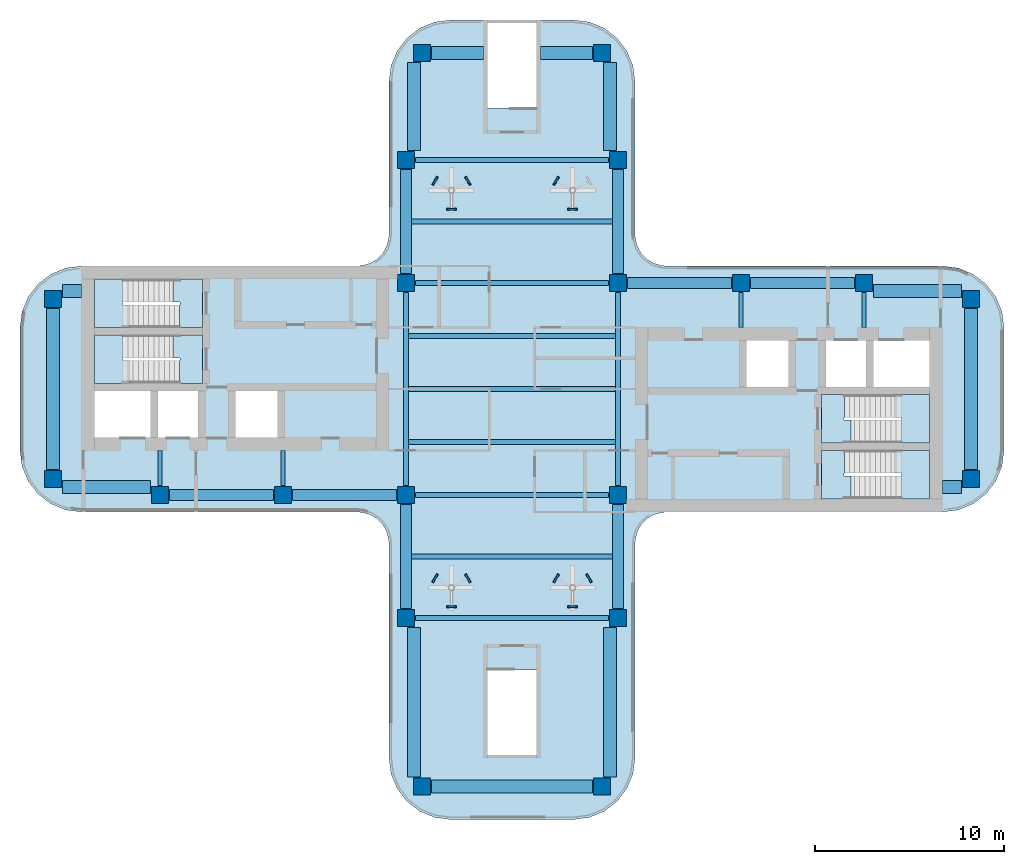
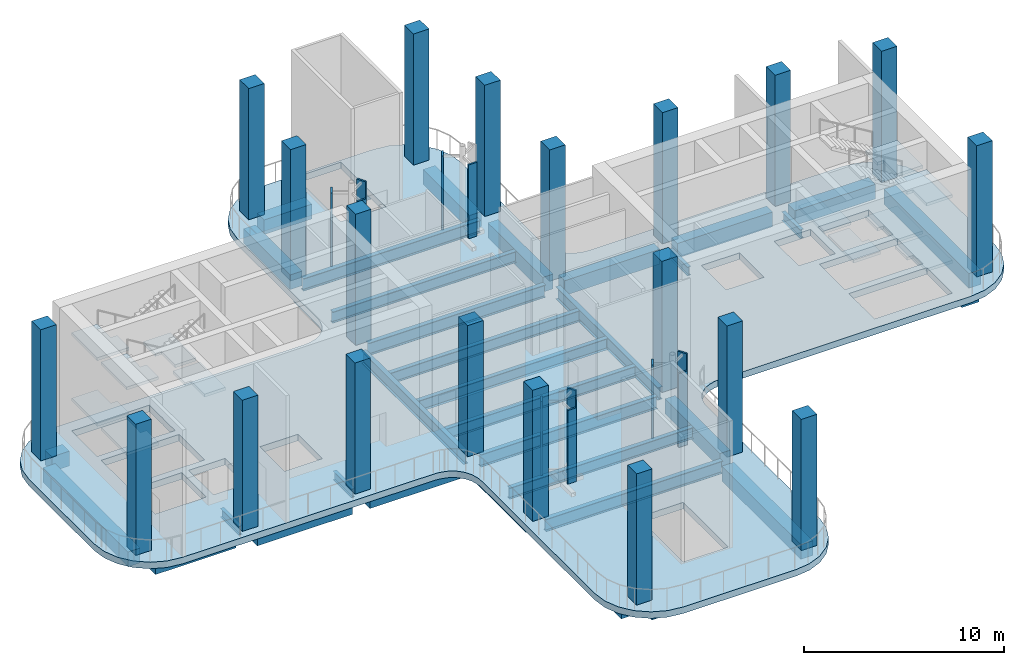
# One storey, part 1 of 8: 36 beams, 20 columns, 13 slabs, 11 plates, 4 elements without a shape of their own.
"""IFC4 building model written with IfcOpenShell, lengths in metres."""

from ifc_helpers import new_model, si_unit, direction, frame, origin, origin_2d, place, context, subcontext, project, spatial, polyline, rectangle, i_section, outline, extrude, source, transform, mapped, material, layer, layer_set, material_profile, profile_set, type_object, element, aggregate, save


model = new_model("IFC4")

# Units and contexts
model_context = context("Model", 3, precision=1e-05, world=origin(), true_north=direction((0.0, 1.0)))
body_context = subcontext(model_context, "Body", "Model", "MODEL_VIEW")
ifc_project = project(units=[si_unit("LENGTHUNIT", "METRE"), si_unit("AREAUNIT", "SQUARE_METRE"), si_unit("VOLUMEUNIT", "CUBIC_METRE"), si_unit("PLANEANGLEUNIT", "RADIAN"), si_unit("MASSUNIT", "GRAM", prefix="KILO")], contexts=[model_context])

# Site, building, storey
site_placement = place(None, origin())
site = spatial("IfcSite", under=ifc_project, at=site_placement, CompositionType="ELEMENT")
building_placement = place(site_placement, origin())
building = spatial("IfcBuilding", under=site, at=building_placement, Name="Trellis Farm Tower", CompositionType="ELEMENT")
storey_placement = place(building_placement, frame((0.0, 0.0, 330.10009765625)))
storey = spatial("IfcBuildingStorey", under=building, at=storey_placement, Name="L75", CompositionType="ELEMENT", Elevation=330.10009765625)

# Columns
ifc_material_1 = material(Name="Concrete C50/60", Category="concrete")
ifc_material_profile_1 = material_profile(ifc_material_1, rectangle(XDim=0.89990234375, YDim=0.89990234375, at=origin_2d()), Name="RC column 900x900 C50/60")
ifc_profile_set_1 = profile_set([ifc_material_profile_1], Name="Concrete C50/60")
column_type = type_object("IfcColumnType", Name="RC column 900x900 C50/60", PredefinedType="COLUMN", material=ifc_profile_set_1)
shared_shape_1 = source(origin(), body_context, "Body", "SweptSolid", [
    extrude(rectangle(XDim=0.89990234375, YDim=0.89990234375, at=origin_2d()), origin(), (0.0, 0.0, 1.0), 8.0),
])
for number, where, z_axis, x_axis, name in (
    (1, (12.10009765625, 5.60009765625, 0.0), (0.0, 0.0, 1.0), (1.0, 0.0, 0.0), "Column"),
    (2, (18.60009765625, 5.60009765625, 0.0), (0.0, 0.0, 1.0), (1.0, 0.0, 0.0), "Column"),
    (3, (24.25, 4.75, 0.0), (0.0, 0.0, 1.0), (1.0, 0.0, 0.0), "Column"),
    (4, (24.25, -4.75, 0.0), (0.0, 0.0, 1.0), (1.0, 0.0, 0.0), "Column"),
    (5, (-5.60009765625, 12.10009765625, 0.0), (0.0, 0.0, 1.0), (1.0, 0.0, 0.0), "Column"),
    (6, (-4.75, 17.75, 0.0), (0.0, 0.0, 1.0), (1.0, 0.0, 0.0), "Column"),
    (7, (5.60009765625, 12.10009765625, 0.0), (0.0, 0.0, 1.0), (1.0, 0.0, 0.0), "Column"),
    (8, (4.75, 17.75, 0.0), (0.0, 0.0, 1.0), (1.0, 0.0, 0.0), "Column"),
    (9, (5.60009765625, 5.60009765625, 0.0), (0.0, 0.0, 1.0), (1.0, 0.0, 0.0), "Column"),
    (10, (-5.60009765625, 5.60009765625, 0.0), (0.0, 0.0, 1.0), (1.0, 0.0, 0.0), "Column"),
    (11, (5.60009765625, -5.60009765625, 0.0), (0.0, 0.0, 1.0), (1.0, 0.0, 0.0), "Column"),
    (12, (-5.60009765625, -5.60009765625, 0.0), (0.0, 0.0, 1.0), (1.0, 0.0, 0.0), "Column"),
    (13, (5.60009765625, -12.10009765625, 0.0), (0.0, 0.0, 1.0), (1.0, 0.0, 0.0), "Column"),
    (14, (4.75, -21.0, 0.0), (0.0, 0.0, 1.0), (1.0, 0.0, 0.0), "Column"),
    (15, (-5.60009765625, -12.10009765625, 0.0), (0.0, 0.0, 1.0), (1.0, 0.0, 0.0), "Column"),
    (16, (-4.75, -21.0, 0.0), (0.0, 0.0, 1.0), (1.0, 0.0, 0.0), "Column"),
    (17, (-12.10009765625, -5.60009765625, 0.0), (0.0, 0.0, 1.0), (1.0, 0.0, 0.0), "Column"),
    (18, (-18.60009765625, -5.60009765625, 0.0), (0.0, 0.0, 1.0), (1.0, 0.0, 0.0), "Column"),
    (19, (-24.25, -4.75, 0.0), (0.0, 0.0, 1.0), (1.0, 0.0, 0.0), "Column"),
    (20, (-24.25, 4.75, 0.0), (0.0, 0.0, 1.0), (1.0, 0.0, 0.0), "Column"),
):
    element("IfcColumn", number, at=place(storey_placement, frame(where, z_axis=z_axis, x_axis=x_axis)), inside=storey, type_object=column_type, Name=name, PredefinedType="COLUMN", context=body_context, shape_type="MappedRepresentation", body=[
        mapped(shared_shape_1, transform((0.0, 0.0, 0.0))),
    ])

# Beams
ifc_material_2 = material(Name="Steel S355", Category="steel")
ifc_material_profile_2 = material_profile(ifc_material_2, i_section(OverallWidth=0.253662109375, OverallDepth=0.68359375, WebThickness=0.012451171875, FlangeThickness=0.021728515625, FilletRadius=0.01513671875, at=origin_2d()), Name="UB 686x254x140")
ifc_profile_set_2 = profile_set([ifc_material_profile_2], Name="Steel S355")
beam_type_1 = type_object("IfcBeamType", Name="UB 686x254x140 joist", PredefinedType="JOIST", material=ifc_profile_set_2)
shared_shape_2 = source(origin(), body_context, "Body", "SweptSolid", [
    extrude(i_section(OverallWidth=0.253662109375, OverallDepth=0.68359375, WebThickness=0.012451171875, FlangeThickness=0.021728515625, FilletRadius=0.01513671875, at=origin_2d()), origin(), (0.0, 0.0, 1.0), 10.93310546875),
])
for number, where, z_axis, x_axis, name in (
    (21, (-5.466552734375, -2.800048828125, -0.74169921875), (1.0, 0.0, 0.0), (0.0, 1.0, 0.0), "Floor beam"),
    (22, (-5.466552734375, 0.0, -0.74169921875), (1.0, 0.0, 0.0), (0.0, 1.0, 0.0), "Floor beam"),
    (23, (-5.466552734375, 2.800048828125, -0.74169921875), (1.0, 0.0, 0.0), (0.0, 1.0, 0.0), "Floor beam"),
):
    element("IfcBeam", number, at=place(storey_placement, frame(where, z_axis=z_axis, x_axis=x_axis)), inside=storey, type_object=beam_type_1, Name=name, PredefinedType="JOIST", context=body_context, shape_type="MappedRepresentation", body=[
        mapped(shared_shape_2, transform((0.0, 0.0, 0.0))),
    ])
shared_shape_3 = source(origin(), body_context, "Body", "SweptSolid", [
    extrude(i_section(OverallWidth=0.253662109375, OverallDepth=0.68359375, WebThickness=0.012451171875, FlangeThickness=0.021728515625, FilletRadius=0.01513671875, at=origin_2d()), origin(), (0.0, 0.0, 1.0), 10.60009765625),
])
for number, where, z_axis, x_axis, name in (
    (24, (-5.300048828125, -8.85009765625, -0.74169921875), (1.0, 0.0, 0.0), (0.0, 1.0, 0.0), "Floor beam"),
    (25, (-5.300048828125, 8.85009765625, -0.74169921875), (1.0, 0.0, 0.0), (0.0, 1.0, 0.0), "Floor beam"),
):
    element("IfcBeam", number, at=place(storey_placement, frame(where, z_axis=z_axis, x_axis=x_axis)), inside=storey, type_object=beam_type_1, Name=name, PredefinedType="JOIST", context=body_context, shape_type="MappedRepresentation", body=[
        mapped(shared_shape_3, transform((0.0, 0.0, 0.0))),
    ])
ifc_material_3 = material(Name="Concrete C60/75", Category="concrete")
ifc_material_profile_3 = material_profile(ifc_material_3, rectangle(XDim=0.60009765625, YDim=0.89990234375, at=origin_2d()), Name="RC spandrel beam 600x900 C60/75")
ifc_profile_set_3 = profile_set([ifc_material_profile_3], Name="Concrete C60/75")
beam_type_2 = type_object("IfcBeamType", Name="RC spandrel beam 600x900 C60/75", PredefinedType="SPANDREL", material=ifc_profile_set_3)
shared_shape_4 = source(origin(), body_context, "Body", "SweptSolid", [
    extrude(rectangle(XDim=0.60009765625, YDim=0.89990234375, at=origin_2d()), origin(), (0.0, 0.0, 1.0), 5.5),
])
for number, where, z_axis, x_axis, name in (
    (26, (-18.10009765625, -5.60009765625, -0.85009765625), (1.0, 0.0, 0.0), (0.0, 1.0, 0.0), "Girder"),
    (27, (-11.60009765625, -5.60009765625, -0.85009765625), (1.0, 0.0, 0.0), (0.0, 1.0, 0.0), "Girder"),
    (28, (6.10009765625, 5.60009765625, -0.85009765625), (1.0, 0.0, 0.0), (0.0, 1.0, 0.0), "Girder"),
    (29, (12.60009765625, 5.60009765625, -0.85009765625), (1.0, 0.0, 0.0), (0.0, 1.0, 0.0), "Girder"),
    (30, (-5.60009765625, -11.60009765625, -0.85009765625), (0.0, 1.0, 0.0), (-1.0, 0.0, 0.0), "Girder"),
    (31, (-5.60009765625, 6.10009765625, -0.85009765625), (0.0, 1.0, 0.0), (-1.0, 0.0, 0.0), "Girder"),
    (32, (5.60009765625, -11.60009765625, -0.85009765625), (0.0, 1.0, 0.0), (-1.0, 0.0, 0.0), "Girder"),
    (33, (5.60009765625, 6.10009765625, -0.85009765625), (0.0, 1.0, 0.0), (-1.0, 0.0, 0.0), "Girder"),
):
    element("IfcBeam", number, at=place(storey_placement, frame(where, z_axis=z_axis, x_axis=x_axis)), inside=storey, type_object=beam_type_2, Name=name, PredefinedType="SPANDREL", context=body_context, shape_type="MappedRepresentation", body=[
        mapped(shared_shape_4, transform((0.0, 0.0, 0.0))),
    ])
ifc_material_profile_4 = material_profile(ifc_material_3, rectangle(XDim=0.699951171875, YDim=0.89990234375, at=origin_2d()), Name="RC spandrel beam 700x900 C60/75")
ifc_profile_set_4 = profile_set([ifc_material_profile_4], Name="Concrete C60/75")
beam_type_3 = type_object("IfcBeamType", Name="RC spandrel beam 700x900 C60/75", PredefinedType="SPANDREL", material=ifc_profile_set_4)
shared_shape_5 = source(origin(), body_context, "Body", "SweptSolid", [
    extrude(rectangle(XDim=0.699951171875, YDim=0.89990234375, at=origin_2d()), origin(), (0.0, 0.0, 1.0), 1.0),
])
for number, where, z_axis, x_axis, name in (
    (34, (22.75, -5.175048828125, -0.85009765625), (1.0, 0.0, 0.0), (0.0, 1.0, 0.0), "Girder"),
    (35, (-23.75, 5.175048828125, -0.85009765625), (1.0, 0.0, 0.0), (0.0, 1.0, 0.0), "Girder"),
):
    element("IfcBeam", number, at=place(storey_placement, frame(where, z_axis=z_axis, x_axis=x_axis)), inside=storey, type_object=beam_type_3, Name=name, PredefinedType="SPANDREL", context=body_context, shape_type="MappedRepresentation", body=[
        mapped(shared_shape_5, transform((0.0, 0.0, 0.0))),
    ])
shared_shape_6 = source(origin(), body_context, "Body", "SweptSolid", [
    extrude(rectangle(XDim=0.699951171875, YDim=0.89990234375, at=origin_2d()), origin(), (0.0, 0.0, 1.0), 4.64990234375),
])
for number, where, z_axis, x_axis, name in (
    (36, (-23.75, -5.175048828125, -0.85009765625), (1.0, 0.0, 0.0), (0.0, 1.0, 0.0), "Girder"),
    (37, (19.10009765625, 5.175048828125, -0.85009765625), (1.0, 0.0, 0.0), (0.0, 1.0, 0.0), "Girder"),
    (38, (-5.175048828125, 12.60009765625, -0.85009765625), (0.0, 1.0, 0.0), (-1.0, 0.0, 0.0), "Girder"),
    (39, (5.175048828125, 12.60009765625, -0.85009765625), (0.0, 1.0, 0.0), (-1.0, 0.0, 0.0), "Girder"),
):
    element("IfcBeam", number, at=place(storey_placement, frame(where, z_axis=z_axis, x_axis=x_axis)), inside=storey, type_object=beam_type_3, Name=name, PredefinedType="SPANDREL", context=body_context, shape_type="MappedRepresentation", body=[
        mapped(shared_shape_6, transform((0.0, 0.0, 0.0))),
    ])
shared_shape_7 = source(origin(), body_context, "Body", "SweptSolid", [
    extrude(rectangle(XDim=0.699951171875, YDim=0.89990234375, at=origin_2d()), origin(), (0.0, 0.0, 1.0), 8.5),
])
for number, where, z_axis, x_axis, name in (
    (40, (-4.25, -21.0, -0.85009765625), (1.0, 0.0, 0.0), (0.0, 1.0, 0.0), "Girder"),
    (41, (-24.25, -4.25, -0.85009765625), (0.0, 1.0, 0.0), (-1.0, 0.0, 0.0), "Girder"),
    (42, (24.25, -4.25, -0.85009765625), (0.0, 1.0, 0.0), (-1.0, 0.0, 0.0), "Girder"),
):
    element("IfcBeam", number, at=place(storey_placement, frame(where, z_axis=z_axis, x_axis=x_axis)), inside=storey, type_object=beam_type_3, Name=name, PredefinedType="SPANDREL", context=body_context, shape_type="MappedRepresentation", body=[
        mapped(shared_shape_7, transform((0.0, 0.0, 0.0))),
    ])
shared_shape_8 = source(origin(), body_context, "Body", "SweptSolid", [
    extrude(rectangle(XDim=0.699951171875, YDim=0.89990234375, at=origin_2d()), origin(), (0.0, 0.0, 1.0), 7.89990234375),
])
for number, where, z_axis, x_axis, name in (
    (43, (-5.175048828125, -20.5, -0.85009765625), (0.0, 1.0, 0.0), (-1.0, 0.0, 0.0), "Girder"),
    (44, (5.175048828125, -20.5, -0.85009765625), (0.0, 1.0, 0.0), (-1.0, 0.0, 0.0), "Girder"),
):
    element("IfcBeam", number, at=place(storey_placement, frame(where, z_axis=z_axis, x_axis=x_axis)), inside=storey, type_object=beam_type_3, Name=name, PredefinedType="SPANDREL", context=body_context, shape_type="MappedRepresentation", body=[
        mapped(shared_shape_8, transform((0.0, 0.0, 0.0))),
    ])
shared_shape_9 = source(origin(), body_context, "Body", "SweptSolid", [
    extrude(rectangle(XDim=0.699951171875, YDim=0.89990234375, at=origin_2d()), origin(), (0.0, 0.0, 1.0), 2.75),
])
for number, where, z_axis, x_axis, name in (
    (45, (-4.25, 17.75, -0.85009765625), (1.0, 0.0, 0.0), (0.0, 1.0, 0.0), "Girder"),
    (46, (1.5, 17.75, -0.85009765625), (1.0, 0.0, 0.0), (0.0, 1.0, 0.0), "Girder"),
):
    element("IfcBeam", number, at=place(storey_placement, frame(where, z_axis=z_axis, x_axis=x_axis)), inside=storey, type_object=beam_type_3, Name=name, PredefinedType="SPANDREL", context=body_context, shape_type="MappedRepresentation", body=[
        mapped(shared_shape_9, transform((0.0, 0.0, 0.0))),
    ])
ifc_material_profile_5 = material_profile(ifc_material_2, i_section(OverallWidth=0.2666015625, OverallDepth=0.76220703125, WebThickness=0.014404296875, FlangeThickness=0.021484375, FilletRadius=0.0166015625, at=origin_2d()), Name="UB 762x267x173")
ifc_profile_set_5 = profile_set([ifc_material_profile_5], Name="Steel S355")
beam_type_4 = type_object("IfcBeamType", Name="UB 762x267x173", PredefinedType="BEAM", material=ifc_profile_set_5)
shared_shape_10 = source(origin(), body_context, "Body", "SweptSolid", [
    extrude(i_section(OverallWidth=0.2666015625, OverallDepth=0.76220703125, WebThickness=0.014404296875, FlangeThickness=0.021484375, FilletRadius=0.0166015625, at=origin_2d()), origin(), (0.0, 0.0, 1.0), 10.2001953125),
])
for number, where, z_axis, x_axis, name in (
    (47, (-5.10009765625, -12.10009765625, -0.78125), (1.0, 0.0, 0.0), (0.0, 1.0, 0.0), "Girder"),
    (48, (-5.10009765625, -5.60009765625, -0.78125), (1.0, 0.0, 0.0), (0.0, 1.0, 0.0), "Girder"),
    (49, (-5.10009765625, 5.60009765625, -0.78125), (1.0, 0.0, 0.0), (0.0, 1.0, 0.0), "Girder"),
    (50, (-5.10009765625, 12.10009765625, -0.78125), (1.0, 0.0, 0.0), (0.0, 1.0, 0.0), "Girder"),
    (51, (-5.60009765625, -5.10009765625, -0.78125), (0.0, 1.0, 0.0), (-1.0, 0.0, 0.0), "Girder"),
    (52, (5.60009765625, -5.10009765625, -0.78125), (0.0, 1.0, 0.0), (-1.0, 0.0, 0.0), "Girder"),
):
    element("IfcBeam", number, at=place(storey_placement, frame(where, z_axis=z_axis, x_axis=x_axis)), inside=storey, type_object=beam_type_4, Name=name, PredefinedType="BEAM", context=body_context, shape_type="MappedRepresentation", body=[
        mapped(shared_shape_10, transform((0.0, 0.0, 0.0))),
    ])
ifc_material_profile_6 = material_profile(ifc_material_2, i_section(OverallWidth=0.209228515625, OverallDepth=0.533203125, WebThickness=0.010009765625, FlangeThickness=0.015625, FilletRadius=0.0126953125, at=origin_2d()), Name="UB 533x210x92")
ifc_profile_set_6 = profile_set([ifc_material_profile_6], Name="Steel S355")
beam_type_5 = type_object("IfcBeamType", Name="UB 533x210x92", PredefinedType="BEAM", material=ifc_profile_set_6)
shared_shape_11 = source(origin(), body_context, "Body", "SweptSolid", [
    extrude(i_section(OverallWidth=0.209228515625, OverallDepth=0.533203125, WebThickness=0.010009765625, FlangeThickness=0.015625, FilletRadius=0.0126953125, at=origin_2d()), origin(), (0.0, 0.0, 1.0), 1.85009765625),
])
for number, where, z_axis, x_axis, name in (
    (53, (-18.60009765625, -5.10009765625, -0.66650390625), (0.0, 1.0, 0.0), (-1.0, 0.0, 0.0), "Girder"),
    (54, (-12.10009765625, -5.10009765625, -0.66650390625), (0.0, 1.0, 0.0), (-1.0, 0.0, 0.0), "Girder"),
    (55, (12.10009765625, 3.25, -0.66650390625), (0.0, 1.0, 0.0), (-1.0, 0.0, 0.0), "Girder"),
    (56, (18.60009765625, 3.25, -0.66650390625), (0.0, 1.0, 0.0), (-1.0, 0.0, 0.0), "Girder"),
):
    element("IfcBeam", number, at=place(storey_placement, frame(where, z_axis=z_axis, x_axis=x_axis)), inside=storey, type_object=beam_type_5, Name=name, PredefinedType="BEAM", context=body_context, shape_type="MappedRepresentation", body=[
        mapped(shared_shape_11, transform((0.0, 0.0, 0.0))),
    ])

# Stair, slab
stair_type = type_object("IfcStairType", Name="CORE EXIT STAIR 48 RISERS 167 MM", PredefinedType="HALF_TURN_STAIR", material=ifc_material_1)
placement_1 = place(storey_placement, origin())
stair_1 = element("IfcStair", 57, at=placement_1, inside=storey, type_object=stair_type, Name="Exit stair E1", PredefinedType="HALF_TURN_STAIR")
ifc_layer_1 = layer(ifc_material_1, 0.179931640625)
ifc_layer_set_1 = layer_set([ifc_layer_1], Name="CORE STAIR LANDING 180 CONCRETE C50/60")
slab_type_1 = type_object("IfcSlabType", Name="CORE STAIR LANDING 180 CONCRETE C50/60", PredefinedType="LANDING", material=ifc_layer_set_1)
placement_2 = place(storey_placement, frame((0.0, 0.0, 3.81982421875)))
slab_1 = element("IfcSlab", 58, at=placement_2, type_object=slab_type_1, Name="STE1 landing 2", PredefinedType="LANDING", context=body_context, shape_type="SweptSolid", body=[
    extrude(outline(polyline([(17.91259765625, -4.60009765625), (17.91259765625, -5.800048828125), (17.550048828125, -5.800048828125), (16.35009765625, -5.800048828125), (16.35009765625, -3.25), (17.550048828125, -3.25), (17.56005859375, -3.25), (17.56005859375, -4.449951171875), (17.550048828125, -4.449951171875), (17.550048828125, -4.60009765625), (17.91259765625, -4.60009765625)])), origin(), (0.0, 0.0, 1.0), 0.18017578125),
])

stair_2 = element("IfcStair", 59, at=placement_1, inside=storey, type_object=stair_type, Name="Exit stair E2", PredefinedType="HALF_TURN_STAIR")
slab_2 = element("IfcSlab", 60, at=placement_2, type_object=slab_type_1, Name="STE2 landing 2", PredefinedType="LANDING", context=body_context, shape_type="SweptSolid", body=[
    extrude(outline(polyline([(17.91259765625, -1.64990234375), (17.91259765625, -2.85009765625), (17.550048828125, -2.85009765625), (16.35009765625, -2.85009765625), (16.35009765625, -0.300048828125), (17.550048828125, -0.300048828125), (17.56005859375, -0.300048828125), (17.56005859375, -1.5), (17.550048828125, -1.5), (17.550048828125, -1.64990234375), (17.91259765625, -1.64990234375)])), origin(), (0.0, 0.0, 1.0), 0.18017578125),
])

stair_3 = element("IfcStair", 61, at=placement_1, inside=storey, type_object=stair_type, Name="Exit stair W1", PredefinedType="HALF_TURN_STAIR")
slab_3 = element("IfcSlab", 62, at=placement_2, type_object=slab_type_1, Name="STW1 landing 2", PredefinedType="LANDING", context=body_context, shape_type="SweptSolid", body=[
    extrude(outline(polyline([(-17.56005859375, 3.25), (-17.56005859375, 4.449951171875), (-17.550048828125, 4.449951171875), (-17.550048828125, 4.60009765625), (-17.91259765625, 4.60009765625), (-17.91259765625, 5.800048828125), (-17.550048828125, 5.800048828125), (-16.35009765625, 5.800048828125), (-16.35009765625, 3.25), (-17.550048828125, 3.25), (-17.56005859375, 3.25)])), origin(), (0.0, 0.0, 1.0), 0.18017578125),
])

stair_4 = element("IfcStair", 63, at=placement_1, inside=storey, type_object=stair_type, Name="Exit stair W2", PredefinedType="HALF_TURN_STAIR")
slab_4 = element("IfcSlab", 64, at=placement_2, type_object=slab_type_1, Name="STW2 landing 2", PredefinedType="LANDING", context=body_context, shape_type="SweptSolid", body=[
    extrude(outline(polyline([(-17.56005859375, 0.300048828125), (-17.56005859375, 1.5), (-17.550048828125, 1.5), (-17.550048828125, 1.64990234375), (-17.91259765625, 1.64990234375), (-17.91259765625, 2.85009765625), (-17.550048828125, 2.85009765625), (-16.35009765625, 2.85009765625), (-16.35009765625, 0.300048828125), (-17.550048828125, 0.300048828125), (-17.56005859375, 0.300048828125)])), origin(), (0.0, 0.0, 1.0), 0.18017578125),
])

# Slab
ifc_material_4 = material(Name="Concrete C40/50", Category="concrete")
ifc_layer_2 = layer(ifc_material_4, 0.39990234375)
ifc_layer_set_2 = layer_set([ifc_layer_2], Name="Composite deck floor slab 400")
slab_type_2 = type_object("IfcSlabType", Name="Composite deck floor slab 400", PredefinedType="FLOOR", material=ifc_layer_set_2)
slab_5_placement = place(storey_placement, frame((0.0, 0.0, -0.400146484375)))
element("IfcSlab", 65, at=slab_5_placement, inside=storey, type_object=slab_type_2, Name="Floor slab", PredefinedType="FLOOR", context=body_context, shape_type="SweptSolid", body=[
    extrude(outline(polyline([(-23.59130859375, -6.389404296875), (-24.375, -6.064697265625), (-25.048095703125, -5.548095703125), (-25.564697265625, -4.875), (-25.889404296875, -4.09130859375), (-26.0, -3.25), (-26.0, 3.25), (-25.889404296875, 4.09130859375), (-25.564697265625, 4.875), (-25.048095703125, 5.548095703125), (-24.375, 6.064697265625), (-23.59130859375, 6.389404296875), (-22.75, 6.5), (-8.2314453125, 6.5), (-8.01953125, 6.513916015625), (-7.91552734375, 6.527587890625), (-7.508544921875, 6.63671875), (-7.144287109375, 6.846923828125), (-6.846923828125, 7.144287109375), (-6.63671875, 7.508544921875), (-6.527587890625, 7.91552734375), (-6.513916015625, 8.01953125), (-6.5, 8.2314453125), (-6.5, 16.25), (-6.389404296875, 17.09130859375), (-6.064697265625, 17.875), (-5.548095703125, 18.548095703125), (-4.875, 19.064697265625), (-4.09130859375, 19.389404296875), (-3.25, 19.5), (3.25, 19.5), (4.09130859375, 19.389404296875), (4.875, 19.064697265625), (5.548095703125, 18.548095703125), (6.064697265625, 17.875), (6.389404296875, 17.09130859375), (6.5, 16.25), (6.5, 8.2314453125), (6.513916015625, 8.01953125), (6.527587890625, 7.91552734375), (6.63671875, 7.508544921875), (6.846923828125, 7.144287109375), (7.144287109375, 6.846923828125), (7.508544921875, 6.63671875), (7.91552734375, 6.527587890625), (8.01953125, 6.513916015625), (8.2314453125, 6.5), (22.75, 6.5), (23.59130859375, 6.389404296875), (24.375, 6.064697265625), (25.048095703125, 5.548095703125), (25.564697265625, 4.875), (25.889404296875, 4.09130859375), (26.0, 3.25), (26.0, -3.25), (25.889404296875, -4.09130859375), (25.564697265625, -4.875), (25.048095703125, -5.548095703125), (24.375, -6.064697265625), (23.59130859375, -6.389404296875), (22.75, -6.5), (8.2314453125, -6.5), (8.01953125, -6.513916015625), (7.91552734375, -6.527587890625), (7.508544921875, -6.63671875), (7.144287109375, -6.846923828125), (6.846923828125, -7.144287109375), (6.63671875, -7.508544921875), (6.527587890625, -7.91552734375), (6.513916015625, -8.01953125), (6.5, -8.2314453125), (6.5, -19.5), (6.389404296875, -20.34130859375), (6.064697265625, -21.125), (5.548095703125, -21.798095703125), (4.875, -22.314697265625), (4.09130859375, -22.639404296875), (3.25, -22.75), (-3.25, -22.75), (-4.09130859375, -22.639404296875), (-4.875, -22.314697265625), (-5.548095703125, -21.798095703125), (-6.064697265625, -21.125), (-6.389404296875, -20.34130859375), (-6.5, -19.5), (-6.5, -8.2314453125), (-6.513916015625, -8.01953125), (-6.527587890625, -7.91552734375), (-6.63671875, -7.508544921875), (-6.846923828125, -7.144287109375), (-7.144287109375, -6.846923828125), (-7.508544921875, -6.63671875), (-7.91552734375, -6.527587890625), (-8.01953125, -6.513916015625), (-8.2314453125, -6.5), (-22.75, -6.5), (-23.59130859375, -6.389404296875)]), holes=[polyline([(-22.050048828125, -2.550048828125), (-19.10009765625, -2.550048828125), (-19.10009765625, -0.10009765625), (-22.050048828125, -0.10009765625), (-22.050048828125, -2.550048828125)]), polyline([(-18.699951171875, -0.10009765625), (-18.699951171875, -2.550048828125), (-16.60009765625, -2.550048828125), (-16.60009765625, -0.10009765625), (-18.699951171875, -0.10009765625)]), polyline([(-14.60009765625, -0.10009765625), (-14.60009765625, -2.550048828125), (-12.39990234375, -2.550048828125), (-12.39990234375, -0.10009765625), (-14.60009765625, -0.10009765625)]), polyline([(-17.56201171875, 2.85009765625), (-22.050048828125, 2.85009765625), (-22.050048828125, 0.300048828125), (-17.56005859375, 0.300048828125), (-17.56005859375, 1.5), (-17.550048828125, 1.5), (-17.550048828125, 1.64990234375), (-17.56201171875, 1.64990234375), (-17.56201171875, 2.85009765625)]), polyline([(-17.56201171875, 4.60009765625), (-17.56201171875, 5.800048828125), (-22.050048828125, 5.800048828125), (-22.050048828125, 3.25), (-17.56005859375, 3.25), (-17.56005859375, 4.449951171875), (-17.550048828125, 4.449951171875), (-17.550048828125, 4.60009765625), (-17.56201171875, 4.60009765625)]), polyline([(0.10009765625, 14.862060546875), (1.300048828125, 14.862060546875), (1.300048828125, 19.35009765625), (-1.300048828125, 19.35009765625), (-1.300048828125, 14.860107421875), (-0.10009765625, 14.860107421875), (-0.10009765625, 14.85009765625), (0.10009765625, 14.85009765625), (0.10009765625, 14.862060546875)]), polyline([(-1.300048828125, -14.862060546875), (-1.300048828125, -19.35009765625), (1.300048828125, -19.35009765625), (1.300048828125, -14.860107421875), (0.10009765625, -14.860107421875), (0.10009765625, -14.85009765625), (-0.10009765625, -14.85009765625), (-0.10009765625, -14.862060546875), (-1.300048828125, -14.862060546875)]), polyline([(17.56201171875, -4.60009765625), (17.56201171875, -5.800048828125), (22.050048828125, -5.800048828125), (22.050048828125, -3.25), (17.56005859375, -3.25), (17.56005859375, -4.449951171875), (17.550048828125, -4.449951171875), (17.550048828125, -4.60009765625), (17.56201171875, -4.60009765625)]), polyline([(17.56201171875, -1.64990234375), (17.56201171875, -2.85009765625), (22.050048828125, -2.85009765625), (22.050048828125, -0.300048828125), (17.56005859375, -0.300048828125), (17.56005859375, -1.5), (17.550048828125, -1.5), (17.550048828125, -1.64990234375), (17.56201171875, -1.64990234375)]), polyline([(14.60009765625, 2.550048828125), (12.39990234375, 2.550048828125), (12.39990234375, 0.10009765625), (14.60009765625, 0.10009765625), (14.60009765625, 2.550048828125)]), polyline([(18.699951171875, 0.10009765625), (18.699951171875, 2.550048828125), (16.60009765625, 2.550048828125), (16.60009765625, 0.10009765625), (18.699951171875, 0.10009765625)]), polyline([(22.050048828125, 0.10009765625), (22.050048828125, 2.550048828125), (19.10009765625, 2.550048828125), (19.10009765625, 0.10009765625), (22.050048828125, 0.10009765625)])]), origin(), (0.0, 0.0, 1.0), 0.400146484375),
])

shared_shape_12 = source(origin(), body_context, "Body", "SweptSolid", [
    extrude(outline(polyline([(20.56494140625, -5.800048828125), (20.56494140625, -4.60009765625), (20.574951171875, -4.60009765625), (20.574951171875, -4.449951171875), (20.21240234375, -4.449951171875), (20.21240234375, -3.25), (20.574951171875, -3.25), (22.050048828125, -3.25), (22.050048828125, -5.800048828125), (20.574951171875, -5.800048828125), (20.56494140625, -5.800048828125)])), origin(), (0.0, 0.0, 1.0), 0.18017578125),
])
placement_3 = place(storey_placement, frame((0.0, 0.0, 1.81982421875)))
slab_6 = element("IfcSlab", 66, at=placement_3, type_object=slab_type_1, Name="STE1 landing 1", PredefinedType="LANDING", context=body_context, shape_type="MappedRepresentation", body=[
    mapped(shared_shape_12, transform((0.0, 0.0, 0.0))),
])

placement_4 = place(storey_placement, frame((0.0, 0.0, 5.81982421875)))
slab_7 = element("IfcSlab", 67, at=placement_4, type_object=slab_type_1, Name="STE1 landing 3", PredefinedType="LANDING", context=body_context, shape_type="MappedRepresentation", body=[
    mapped(shared_shape_12, transform((0.0, 0.0, 0.0))),
])

aggregate(stair_1, [slab_6, slab_1, slab_7])

shared_shape_13 = source(origin(), body_context, "Body", "SweptSolid", [
    extrude(outline(polyline([(20.56494140625, -2.85009765625), (20.56494140625, -1.64990234375), (20.574951171875, -1.64990234375), (20.574951171875, -1.5), (20.21240234375, -1.5), (20.21240234375, -0.300048828125), (20.574951171875, -0.300048828125), (22.050048828125, -0.300048828125), (22.050048828125, -2.85009765625), (20.574951171875, -2.85009765625), (20.56494140625, -2.85009765625)])), origin(), (0.0, 0.0, 1.0), 0.18017578125),
])
slab_8 = element("IfcSlab", 68, at=placement_3, type_object=slab_type_1, Name="STE2 landing 1", PredefinedType="LANDING", context=body_context, shape_type="MappedRepresentation", body=[
    mapped(shared_shape_13, transform((0.0, 0.0, 0.0))),
])

slab_9 = element("IfcSlab", 69, at=placement_4, type_object=slab_type_1, Name="STE2 landing 3", PredefinedType="LANDING", context=body_context, shape_type="MappedRepresentation", body=[
    mapped(shared_shape_13, transform((0.0, 0.0, 0.0))),
])

aggregate(stair_2, [slab_8, slab_2, slab_9])

shared_shape_14 = source(origin(), body_context, "Body", "SweptSolid", [
    extrude(outline(polyline([(-20.21240234375, 4.449951171875), (-20.21240234375, 3.25), (-20.574951171875, 3.25), (-22.050048828125, 3.25), (-22.050048828125, 5.800048828125), (-20.574951171875, 5.800048828125), (-20.56494140625, 5.800048828125), (-20.56494140625, 4.60009765625), (-20.574951171875, 4.60009765625), (-20.574951171875, 4.449951171875), (-20.21240234375, 4.449951171875)])), origin(), (0.0, 0.0, 1.0), 0.18017578125),
])
slab_10 = element("IfcSlab", 70, at=placement_3, type_object=slab_type_1, Name="STW1 landing 1", PredefinedType="LANDING", context=body_context, shape_type="MappedRepresentation", body=[
    mapped(shared_shape_14, transform((0.0, 0.0, 0.0))),
])

slab_11 = element("IfcSlab", 71, at=placement_4, type_object=slab_type_1, Name="STW1 landing 3", PredefinedType="LANDING", context=body_context, shape_type="MappedRepresentation", body=[
    mapped(shared_shape_14, transform((0.0, 0.0, 0.0))),
])

aggregate(stair_3, [slab_10, slab_3, slab_11])

shared_shape_15 = source(origin(), body_context, "Body", "SweptSolid", [
    extrude(outline(polyline([(-20.21240234375, 1.5), (-20.21240234375, 0.300048828125), (-20.574951171875, 0.300048828125), (-22.050048828125, 0.300048828125), (-22.050048828125, 2.85009765625), (-20.574951171875, 2.85009765625), (-20.56494140625, 2.85009765625), (-20.56494140625, 1.64990234375), (-20.574951171875, 1.64990234375), (-20.574951171875, 1.5), (-20.21240234375, 1.5)])), origin(), (0.0, 0.0, 1.0), 0.18017578125),
])
slab_12 = element("IfcSlab", 72, at=placement_3, type_object=slab_type_1, Name="STW2 landing 1", PredefinedType="LANDING", context=body_context, shape_type="MappedRepresentation", body=[
    mapped(shared_shape_15, transform((0.0, 0.0, 0.0))),
])

slab_13 = element("IfcSlab", 73, at=placement_4, type_object=slab_type_1, Name="STW2 landing 3", PredefinedType="LANDING", context=body_context, shape_type="MappedRepresentation", body=[
    mapped(shared_shape_15, transform((0.0, 0.0, 0.0))),
])

aggregate(stair_4, [slab_12, slab_4, slab_13])

# Plates
ifc_material_5 = material(Name="Aluminium extrusion 6063-T6", Category="aluminium")
ifc_layer_3 = layer(ifc_material_5, 0.10009765625)
ifc_layer_set_3 = layer_set([ifc_layer_3], Name="TURBINE BLADE 100")
plate_type = type_object("IfcPlateType", Name="TURBINE BLADE 100", PredefinedType="USERDEFINED", material=ifc_layer_set_3)
shared_shape_16 = source(origin(), body_context, "Body", "SweptSolid", [
    extrude(rectangle(XDim=0.5, YDim=0.10009765625, at=origin_2d()), origin(), (0.0, 0.0, 1.0), 4.5),
])
for number, where, z_axis, x_axis, name in (
    (74, (-2.333984375, 11.0, 0.75), (0.0, 0.0, 1.0), (-0.5, 0.866025403784, 0.0), "TB4 U1-1"),
    (75, (-4.06591796875, 11.0, 0.75), (0.0, 0.0, 1.0), (-0.5, -0.866025403784, 0.0), "TB4 U1-2"),
    (76, (-3.199951171875, 9.5, 0.75), (0.0, 0.0, 1.0), (1.0, 0.0, 0.0), "TB4 U1-3"),
    (77, (2.333984375, 11.0, 0.75), (0.0, 0.0, 1.0), (-0.5, -0.866025403784, 0.0), "TB4 U2-2"),
    (78, (3.199951171875, 9.5, 0.75), (0.0, 0.0, 1.0), (1.0, 0.0, 0.0), "TB4 U2-3"),
    (79, (-2.333984375, -10.0, 0.75), (0.0, 0.0, 1.0), (-0.5, 0.866025403784, 0.0), "TB4 U3-1"),
    (80, (-4.06591796875, -10.0, 0.75), (0.0, 0.0, 1.0), (-0.5, -0.866025403784, 0.0), "TB4 U3-2"),
    (81, (-3.199951171875, -11.5, 0.75), (0.0, 0.0, 1.0), (1.0, 0.0, 0.0), "TB4 U3-3"),
    (82, (4.06591796875, -10.0, 0.75), (0.0, 0.0, 1.0), (-0.5, 0.866025403784, 0.0), "TB4 U4-1"),
    (83, (2.333984375, -10.0, 0.75), (0.0, 0.0, 1.0), (-0.5, -0.866025403784, 0.0), "TB4 U4-2"),
    (84, (3.199951171875, -11.5, 0.75), (0.0, 0.0, 1.0), (1.0, 0.0, 0.0), "TB4 U4-3"),
):
    element("IfcPlate", number, at=place(storey_placement, frame(where, z_axis=z_axis, x_axis=x_axis)), inside=storey, type_object=plate_type, Name=name, ObjectType="TURBINE BLADE", PredefinedType="USERDEFINED", context=body_context, shape_type="MappedRepresentation", body=[
        mapped(shared_shape_16, transform((0.0, 0.0, 0.0))),
    ])

save(model, "model.ifc")
